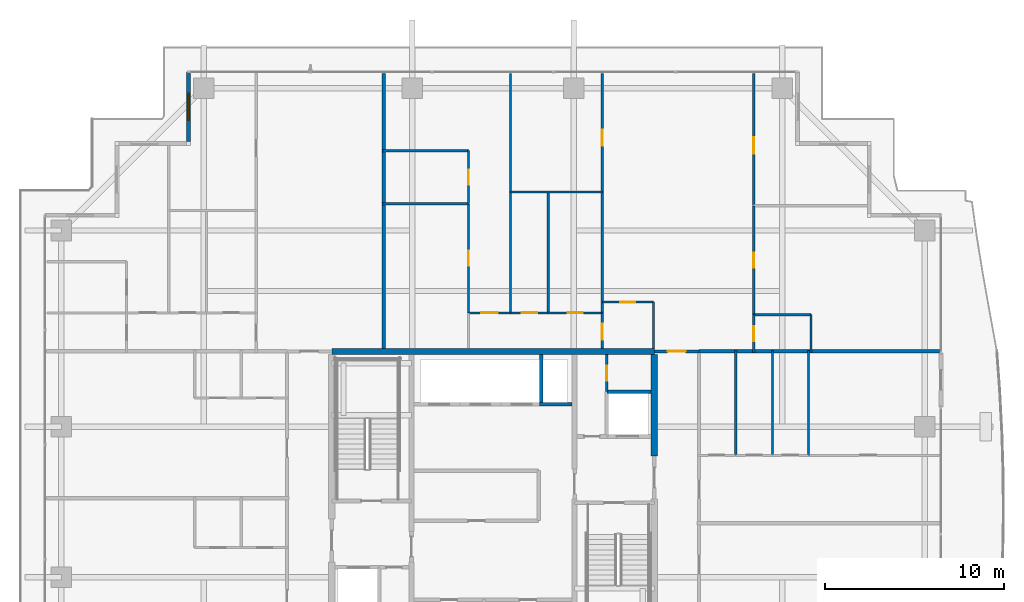
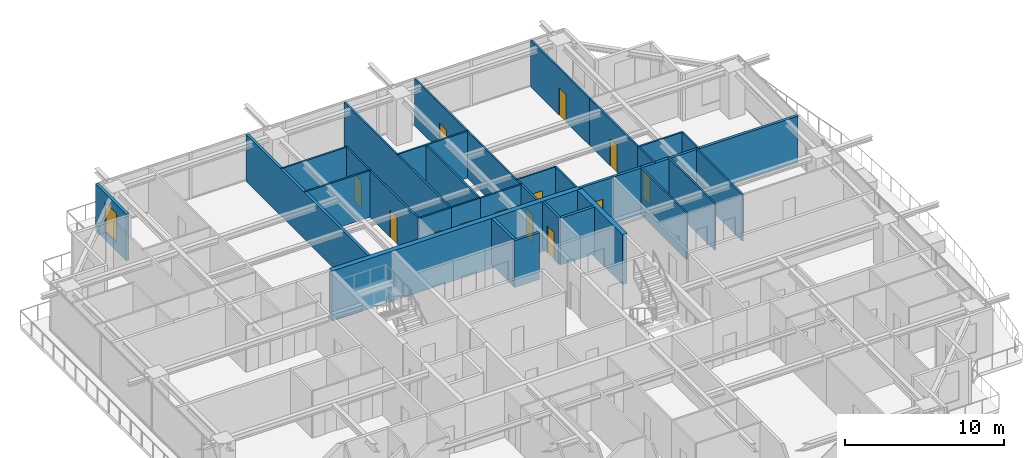
# One storey, part 30 of 38: 33 walls, 13 doors, 1 window, 14 openings.
"""IFC4 building model written with IfcOpenShell, lengths in metres."""

import ifcopenshell
import ifcopenshell.guid

model = None  # the IFC model being written
_history = None  # IfcOwnerHistory: only IFC2X3 demands one
_inside = {}  # id of a spatial element -> (the spatial element, [elements in it])
_under = {}  # id of a project, library or spatial element -> (it, [spatial elements below it])
_declared = {}  # id of a project -> (the project, [libraries it declares])
_typed = {}  # id of a type object -> (the type object, [elements of that type])
_made_of = {}  # id of a material, layer set ... -> (it, [elements and type objects made of it])


def new_model(schema):
    """Start an empty IFC model of exactly this schema.

    Asked for "IFC4X3", IfcOpenShell would pick the latest addendum, in which some entities
    have other attributes; the version numbers below select the first issue.
    IFC2X3 requires an IfcOwnerHistory on every rooted entity: one is made here for all.
    """
    global model, _history
    if schema == "IFC4X3":
        model = ifcopenshell.file(schema_version=(4, 3, 0, 0))
    else:
        model = ifcopenshell.file(schema=schema)
    _inside.clear()
    _under.clear()
    _declared.clear()
    _typed.clear()
    _made_of.clear()
    _history = None
    if model.schema == "IFC2X3":
        org = make("IfcOrganization", Name="unknown")
        user = make(
            "IfcPersonAndOrganization",
            ThePerson=make("IfcPerson", FamilyName="unknown"),
            TheOrganization=org,
        )
        app = make(
            "IfcApplication",
            ApplicationDeveloper=org,
            Version="unknown",
            ApplicationFullName="unknown",
            ApplicationIdentifier="unknown",
        )
        _history = make(
            "IfcOwnerHistory",
            OwningUser=user,
            OwningApplication=app,
            ChangeAction="ADDED",
            CreationDate=0,
        )
    return model


def make(cls, **values):
    """One entity of the class cls with the attributes given. An attribute that is None is left unset."""
    return model.create_entity(
        cls, **{name: value for name, value in values.items() if value is not None}
    )


def rooted(cls, **values):
    """An entity with a GlobalId (a new one), such as an element, a storey or a relation."""
    return make(cls, GlobalId=ifcopenshell.guid.new(), OwnerHistory=_history, **values)


def si_unit(unit_type, name, prefix=None):
    """IfcSIUnit, for example si_unit("LENGTHUNIT", "METRE", prefix="MILLI")."""
    return make("IfcSIUnit", UnitType=unit_type, Prefix=prefix, Name=name)


def assignment(units):
    """IfcUnitAssignment: the units of a project."""
    return None if units is None else make("IfcUnitAssignment", Units=units)


def point(xyz):
    """IfcCartesianPoint."""
    return None if xyz is None else make("IfcCartesianPoint", Coordinates=xyz)


def direction(xyz):
    """IfcDirection."""
    return None if xyz is None else make("IfcDirection", DirectionRatios=xyz)


def frame(location, z_axis=None, x_axis=None):
    """IfcAxis2Placement3D, a coordinate frame: its origin and axes. An axis left out is left unset."""
    return make(
        "IfcAxis2Placement3D",
        Location=point(location),
        Axis=direction(z_axis),
        RefDirection=direction(x_axis),
    )


def frame_2d(location, x_axis=None):
    """IfcAxis2Placement2D, a coordinate frame in the plane: its origin and x axis."""
    return make(
        "IfcAxis2Placement2D", Location=point(location), RefDirection=direction(x_axis)
    )


def origin():
    """The frame at (0, 0, 0) with its axes left unset."""
    return frame((0.0, 0.0, 0.0))


def place(relative_to, where):
    """IfcLocalPlacement: puts the frame where relative to a parent placement (None: the world)."""
    return make(
        "IfcLocalPlacement", PlacementRelTo=relative_to, RelativePlacement=where
    )


def context(
    kind, dimensions, precision=None, world=None, true_north=None, identifier=None
):
    """IfcGeometricRepresentationContext, for example the 3D "Model" context."""
    return make(
        "IfcGeometricRepresentationContext",
        ContextIdentifier=identifier,
        ContextType=kind,
        CoordinateSpaceDimension=dimensions,
        Precision=precision,
        WorldCoordinateSystem=world,
        TrueNorth=true_north,
    )


def subcontext(parent, identifier, kind, view, scale=None):
    """IfcGeometricRepresentationSubContext, for example "Body" below "Model"."""
    return make(
        "IfcGeometricRepresentationSubContext",
        ContextIdentifier=identifier,
        ContextType=kind,
        ParentContext=parent,
        TargetScale=scale,
        TargetView=view,
    )


def project(units=None, contexts=None):
    """IfcProject with its units and contexts."""
    return rooted(
        "IfcProject",
        Name="project",
        RepresentationContexts=contexts,
        UnitsInContext=assignment(units),
    )


def spatial(cls, under=None, at=None, **own):
    """A site, building, storey or space (cls), placed at a placement, below another one or the project."""
    s = rooted(cls, ObjectPlacement=at, **own)
    if under is not None:
        _under.setdefault(under.id(), (under, []))[1].append(s)
    return s


def profile(cls, at=None, kind="AREA", **sizes):
    """A parametric profile (cls). Its sizes go by their IFC names, for example OverallWidth=200.0."""
    return make(cls, ProfileType=kind, Position=at, **sizes)


def rectangle(**sizes):
    """IfcRectangleProfileDef."""
    return profile("IfcRectangleProfileDef", **sizes)


def extrude(swept, where, along, depth):
    """IfcExtrudedAreaSolid: the profile swept, set in the frame where, extruded along a direction by depth."""
    return make(
        "IfcExtrudedAreaSolid",
        SweptArea=swept,
        Position=where,
        ExtrudedDirection=direction(along),
        Depth=depth,
    )


def shape(context_of_items, identifier, shape_type, items):
    """IfcShapeRepresentation: the items that make up one representation, for example the "Body"."""
    return make(
        "IfcShapeRepresentation",
        ContextOfItems=context_of_items,
        RepresentationIdentifier=identifier,
        RepresentationType=shape_type,
        Items=items,
    )


def source(mapping_origin, context_of_items, identifier, shape_type, items):
    """IfcRepresentationMap: a shape defined once, which mapped items show again and again."""
    return make(
        "IfcRepresentationMap",
        MappingOrigin=mapping_origin,
        MappedRepresentation=shape(context_of_items, identifier, shape_type, items),
    )


def transform(
    local_origin,
    x_axis=None,
    y_axis=None,
    z_axis=None,
    scale=None,
    scale2=None,
    scale3=None,
    uniform=True,
):
    """IfcCartesianTransformationOperator3D, or its non-uniform kind. x_axis, y_axis, z_axis: its Axis1, 2, 3."""
    if uniform:
        return make(
            "IfcCartesianTransformationOperator3D",
            Axis1=direction(x_axis),
            Axis2=direction(y_axis),
            LocalOrigin=point(local_origin),
            Scale=scale,
            Axis3=direction(z_axis),
        )
    return make(
        "IfcCartesianTransformationOperator3DnonUniform",
        Axis1=direction(x_axis),
        Axis2=direction(y_axis),
        LocalOrigin=point(local_origin),
        Scale=scale,
        Axis3=direction(z_axis),
        Scale2=scale2,
        Scale3=scale3,
    )


def mapped(mapping_source, mapping_target):
    """IfcMappedItem: shows the shape of a source again, moved by a transform."""
    return make(
        "IfcMappedItem", MappingSource=mapping_source, MappingTarget=mapping_target
    )


def material(Name=None, Category=None):
    """IfcMaterial."""
    return make("IfcMaterial", Name=Name, Category=Category)


def layer(
    of_material, thickness, ventilated=None, Name=None, Category=None, Priority=None
):
    """IfcMaterialLayer: one layer of a wall or slab, of a material (None: an air gap)."""
    return make(
        "IfcMaterialLayer",
        Material=of_material,
        LayerThickness=thickness,
        IsVentilated=ventilated,
        Name=Name,
        Category=Category,
        Priority=Priority,
    )


def layer_set(layers, Name=None):
    """IfcMaterialLayerSet."""
    return make("IfcMaterialLayerSet", MaterialLayers=layers, LayerSetName=Name)


def made_of(thing, what):
    """Note that an element or type object is made of a material, layer set ...; save() writes the relation."""
    if what is not None:
        _made_of.setdefault(what.id(), (what, []))[1].append(thing)
    return thing


def type_object(cls, material=None, **own):
    """A type object (cls), such as IfcWallType, which elements share."""
    return made_of(rooted(cls, **own), material)


def element(
    cls,
    number,
    at=None,
    inside=None,
    cuts=None,
    type_object=None,
    material=None,
    context=None,
    identifier="Body",
    shape_type=None,
    held_by="IfcProductDefinitionShape",
    body=None,
    shapes=None,
    **own,
):
    """One element of the class cls, such as IfcWall. Its Tag is "e" and its number.

    at: its placement. inside: the storey or other place that contains it. cuts: it is an
    opening in that element (IfcRelVoidsElement). A single representation is given by context,
    identifier, shape_type and body (its items); several are given by shapes. held_by: the class
    of the entity that holds the representations. save() writes the other relations.
    """
    e = rooted(cls, Tag="e%d" % number, ObjectPlacement=at, **own)
    if body is not None:
        shapes = [shape(context, identifier, shape_type, body)]
    if shapes is not None:
        e.Representation = make(held_by, Representations=shapes)
    if inside is not None:
        _inside.setdefault(inside.id(), (inside, []))[1].append(e)
    if cuts is not None:
        rooted(
            "IfcRelVoidsElement", RelatingBuildingElement=cuts, RelatedOpeningElement=e
        )
    if type_object is not None:
        _typed.setdefault(type_object.id(), (type_object, []))[1].append(e)
    return made_of(e, material)


def fill(opening, filler):
    """IfcRelFillsElement: the door or window that sits in an opening."""
    return rooted(
        "IfcRelFillsElement",
        RelatingOpeningElement=opening,
        RelatedBuildingElement=filler,
    )


def aggregate(whole, parts):
    """IfcRelAggregates: a whole, such as a stair, and the parts it consists of."""
    return rooted("IfcRelAggregates", RelatingObject=whole, RelatedObjects=parts)


def save(model, path):
    """Write the relations noted so far, then the file.

    IfcRelAggregates (storeys below a building ...), IfcRelContainedInSpatialStructure (elements
    in a storey), IfcRelDefinesByType, IfcRelAssociatesMaterial and IfcRelDeclares: one each for
    every whole, place, type object, material and project.
    """
    for whole, parts in _under.values():
        aggregate(whole, parts)
    for where, things in _inside.values():
        rooted(
            "IfcRelContainedInSpatialStructure",
            RelatedElements=things,
            RelatingStructure=where,
        )
    for kind, things in _typed.values():
        rooted("IfcRelDefinesByType", RelatedObjects=things, RelatingType=kind)
    for what, things in _made_of.values():
        rooted("IfcRelAssociatesMaterial", RelatedObjects=things, RelatingMaterial=what)
    for by, libraries in _declared.values():
        rooted("IfcRelDeclares", RelatingContext=by, RelatedDefinitions=libraries)
    model.write(path)


model = new_model("IFC4")

# Units and contexts
model_context = context("Model", 3, precision=1e-05, world=origin(), true_north=direction((0.0, 1.0)))
body_context = subcontext(model_context, "Body", "Model", "MODEL_VIEW")
ifc_project = project(units=[si_unit("LENGTHUNIT", "METRE"), si_unit("AREAUNIT", "SQUARE_METRE"), si_unit("VOLUMEUNIT", "CUBIC_METRE"), si_unit("PLANEANGLEUNIT", "RADIAN"), si_unit("MASSUNIT", "GRAM", prefix="KILO")], contexts=[model_context])

# Site, building, storey
site_placement = place(None, origin())
site = spatial("IfcSite", under=ifc_project, at=site_placement, CompositionType="ELEMENT")
building_placement = place(site_placement, origin())
building = spatial("IfcBuilding", under=site, at=building_placement, Name="Serunith Strait Residences", CompositionType="ELEMENT")
storey_placement = place(building_placement, frame((0.0, 0.0, 229.699951171875)))
storey = spatial("IfcBuildingStorey", under=building, at=storey_placement, Name="L57", CompositionType="ELEMENT", Elevation=229.699951171875)

# Wall, opening, window
ifc_material_1 = material(Name="Pale-Champagne Aluminium Insulated Panel", Category="aluminium")
ifc_layer_1 = layer(ifc_material_1, 0.219970703125, Name="Pale-Champagne Aluminium Insulated Panel")
ifc_layer_set_1 = layer_set([ifc_layer_1], Name="Pale-Champagne Aluminium Insulated Panel")
wall_type_1 = type_object("IfcWallType", Name="EW-ALUM-220", PredefinedType="ELEMENTEDWALL", material=ifc_layer_set_1)
wall_1_placement = place(storey_placement, frame((15.39990234375, 49.199951171875, 0.0), z_axis=(0.0, 0.0, 1.0), x_axis=(0.0, -1.0, 0.0)))
wall_1 = element("IfcWall", 1, at=wall_1_placement, inside=storey, type_object=wall_type_1, Name="L57 Girih Serrated Corner Wall 12", PredefinedType="ELEMENTEDWALL", context=body_context, shape_type="SweptSolid", body=[
    extrude(rectangle(XDim=3.889892578125, YDim=0.219970703125, at=frame_2d((1.94482421875, 0.0))), origin(), (0.0, 0.0, 1.0), 3.574951171875),
])
opening_1_placement = place(wall_1_placement, frame((1.195068359375, 0.0, 0.64990234375)))
opening_1 = element("IfcOpeningElement", 2, at=opening_1_placement, cuts=wall_1, Name="Opening W-05", PredefinedType="OPENING", context=body_context, shape_type="SweptSolid", body=[
    extrude(rectangle(XDim=1.5, YDim=2.25, at=frame_2d((0.75, 1.125))), frame((0.0, 0.1201171875, 0.0), z_axis=(0.0, -1.0, 0.0), x_axis=(1.0, 0.0, 0.0)), (0.0, 0.0, 1.0), 0.239990234375),
])
ifc_material_2 = material(Name="Ceramic-Fritted Operable Aluminium Window Glass", Category="aluminium")
window_type = type_object("IfcWindowType", Name="WIN-C5", PartitioningType="DOUBLE_PANEL_VERTICAL", PredefinedType="WINDOW", material=ifc_material_2)
shared_shape_1 = source(origin(), body_context, "Body", "SweptSolid", [
    extrude(rectangle(XDim=1.5, YDim=2.25, at=frame_2d((0.75, 1.125))), frame((0.0, 0.030029296875, 0.0), z_axis=(0.0, -1.0, 0.0), x_axis=(1.0, 0.0, 0.0)), (0.0, 0.0, 1.0), 0.06005859375),
])
window_placement = place(opening_1_placement, origin())
window = element("IfcWindow", 3, at=window_placement, inside=storey, type_object=window_type, Name="L57 Corner Operable Fritted Window 12", OverallHeight=2.25, OverallWidth=1.5, PartitioningType="SINGLE_PANEL", PredefinedType="WINDOW", context=body_context, shape_type="MappedRepresentation", body=[
    mapped(shared_shape_1, transform((0.0, 0.0, 0.0), scale=1.0)),
])
fill(opening_1, window)

# Wall, opening, door
ifc_material_3 = material(Name="Fire-rated masonry service closet wall", Category="masonry")
ifc_layer_2 = layer(ifc_material_3, 0.14990234375, Name="Fire-rated masonry service closet wall")
ifc_layer_set_2 = layer_set([ifc_layer_2], Name="Fire-rated masonry service closet wall")
wall_type_2 = type_object("IfcWallType", Name="IW-BOH-150", PredefinedType="PARTITIONING", material=ifc_layer_set_2)
wall_2_placement = place(storey_placement, frame((38.75, 31.35205078125, 0.0), z_axis=(0.0, 0.0, 1.0), x_axis=(0.0, 1.0, 0.0)))
wall_2 = element("IfcWall", 4, at=wall_2_placement, inside=storey, type_object=wall_type_2, Name="L57 Partition Wall 011", PredefinedType="PARTITIONING", context=body_context, shape_type="SweptSolid", body=[
    extrude(rectangle(XDim=2.072998046875, YDim=0.14990234375, at=frame_2d((1.03662109375, 0.0))), origin(), (0.0, 0.0, 1.0), 3.590087890625),
])
opening_2_placement = place(wall_2_placement, frame((0.611083984375, 0.0, 0.0)))
opening_2 = element("IfcOpeningElement", 5, at=opening_2_placement, cuts=wall_2, Name="Opening FD-850", PredefinedType="OPENING", context=body_context, shape_type="SweptSolid", body=[
    extrude(rectangle(XDim=0.85009765625, YDim=2.10009765625, at=frame_2d((0.425048828125, 1.050048828125))), frame((0.0, 0.0849609375, 0.0), z_axis=(0.0, -1.0, 0.0), x_axis=(1.0, 0.0, 0.0)), (0.0, 0.0, 1.0), 0.169921875),
])
ifc_material_4 = material(Name="Powder-coated steel service closet door", Category="steel")
door_type_1 = type_object("IfcDoorType", Name="FD-BOH-850", OperationType="NOTDEFINED", PredefinedType="DOOR", material=ifc_material_4)
shared_shape_2 = source(origin(), body_context, "Body", "SweptSolid", [
    extrude(rectangle(XDim=0.85009765625, YDim=2.10009765625, at=frame_2d((0.425048828125, 1.050048828125))), frame((0.0, 0.02490234375, 0.0), z_axis=(0.0, -1.0, 0.0), x_axis=(1.0, 0.0, 0.0)), (0.0, 0.0, 1.0), 0.050048828125),
])
door_1_placement = place(opening_2_placement, origin())
door_1 = element("IfcDoor", 6, at=door_1_placement, inside=storey, type_object=door_type_1, Name="L57 ELV Data Closet Door", OperationType="SINGLE_SWING_LEFT", OverallHeight=2.10009765625, OverallWidth=0.85009765625, PredefinedType="DOOR", context=body_context, shape_type="MappedRepresentation", body=[
    mapped(shared_shape_2, transform((0.0, 0.0, 0.0), scale=1.0)),
])
fill(opening_2, door_1)

ifc_material_5 = material(Name="Fire-rated acoustic gypsum partition")
ifc_layer_3 = layer(ifc_material_5, 0.179931640625, Name="Fire-rated acoustic gypsum partition")
ifc_layer_set_3 = layer_set([ifc_layer_3], Name="Fire-rated acoustic gypsum partition")
wall_type_3 = type_object("IfcWallType", Name="IW-CORR-180", PredefinedType="PARTITIONING", material=ifc_layer_set_3)
wall_3_placement = place(storey_placement, frame((41.402099609375, 33.60009765625, 0.0), z_axis=(0.0, 0.0, 1.0), x_axis=(1.0, 0.0, 0.0)))
wall_3 = element("IfcWall", 7, at=wall_3_placement, inside=storey, type_object=wall_type_3, Name="L57 Partition Wall 030", PredefinedType="PARTITIONING", context=body_context, shape_type="SweptSolid", body=[
    extrude(rectangle(XDim=2.495849609375, YDim=0.179931640625, at=frame_2d((1.248046875, 0.0))), origin(), (0.0, 0.0, 1.0), 3.590087890625),
])
opening_3_placement = place(wall_3_placement, frame((0.748046875, 0.0, 0.0)))
opening_3 = element("IfcOpeningElement", 8, at=opening_3_placement, cuts=wall_3, Name="Opening D-APT1000", PredefinedType="OPENING", context=body_context, shape_type="SweptSolid", body=[
    extrude(rectangle(XDim=1.0, YDim=2.14990234375, at=frame_2d((0.5, 1.074951171875))), frame((0.0, 0.10009765625, 0.0), z_axis=(0.0, -1.0, 0.0), x_axis=(1.0, 0.0, 0.0)), (0.0, 0.0, 1.0), 0.199951171875),
])
ifc_material_6 = material(Name="Solid timber engineered fire door", Category="wood")
door_type_2 = type_object("IfcDoorType", Name="ID-APT-1000", OperationType="NOTDEFINED", PredefinedType="DOOR", material=ifc_material_6)
shared_shape_3 = source(origin(), body_context, "Body", "SweptSolid", [
    extrude(rectangle(XDim=1.0, YDim=2.14990234375, at=frame_2d((0.5, 1.074951171875))), frame((0.0, 0.02490234375, 0.0), z_axis=(0.0, -1.0, 0.0), x_axis=(1.0, 0.0, 0.0)), (0.0, 0.0, 1.0), 0.050048828125),
])
door_2_placement = place(opening_3_placement, origin())
door_2 = element("IfcDoor", 9, at=door_2_placement, inside=storey, type_object=door_type_2, Name="L57 Unit 04 Entrance Door", OperationType="SINGLE_SWING_RIGHT", OverallHeight=2.14990234375, OverallWidth=1.0, PredefinedType="DOOR", context=body_context, shape_type="MappedRepresentation", body=[
    mapped(shared_shape_3, transform((0.0, 0.0, 0.0), scale=1.0)),
])
fill(opening_3, door_2)

ifc_material_7 = material(Name="Lightweight steel-stud gypsum partition", Category="steel")
ifc_layer_4 = layer(ifc_material_7, 0.1201171875, Name="Lightweight steel-stud gypsum partition")
ifc_layer_set_4 = layer_set([ifc_layer_4], Name="Lightweight steel-stud gypsum partition")
wall_type_4 = type_object("IfcWallType", Name="IW-PART-120", PredefinedType="PARTITIONING", material=ifc_layer_set_4)
wall_4_placement = place(storey_placement, frame((38.5, 36.35009765625, 0.0), z_axis=(0.0, 0.0, 1.0), x_axis=(1.0, 0.0, 0.0)))
wall_4 = element("IfcWall", 10, at=wall_4_placement, inside=storey, type_object=wall_type_4, Name="L57 Partition Wall 080", PredefinedType="PARTITIONING", context=body_context, shape_type="SweptSolid", body=[
    extrude(rectangle(XDim=2.85009765625, YDim=0.1201171875, at=frame_2d((1.425048828125, 0.0))), origin(), (0.0, 0.0, 1.0), 3.590087890625),
])
opening_4_placement = place(wall_4_placement, frame((1.0, 0.0, 0.0)))
opening_4 = element("IfcOpeningElement", 11, at=opening_4_placement, cuts=wall_4, Name="Opening D-RM850", PredefinedType="OPENING", context=body_context, shape_type="SweptSolid", body=[
    extrude(rectangle(XDim=0.85009765625, YDim=2.10009765625, at=frame_2d((0.425048828125, 1.050048828125))), frame((0.0, 0.070068359375, 0.0), z_axis=(0.0, -1.0, 0.0), x_axis=(1.0, 0.0, 0.0)), (0.0, 0.0, 1.0), 0.14013671875),
])
ifc_material_8 = material(Name="Engineered timber flush study and kitchen door", Category="wood")
door_type_3 = type_object("IfcDoorType", Name="ID-ROOM-850", OperationType="NOTDEFINED", PredefinedType="DOOR", material=ifc_material_8)
door_3_placement = place(opening_4_placement, origin())
door_3 = element("IfcDoor", 12, at=door_3_placement, inside=storey, type_object=door_type_3, Name="L57 Kitchen 5704 Door", OperationType="SINGLE_SWING_RIGHT", OverallHeight=2.10009765625, OverallWidth=0.85009765625, PredefinedType="DOOR", context=body_context, shape_type="MappedRepresentation", body=[
    mapped(shared_shape_2, transform((0.0, 0.0, 0.0), scale=1.0)),
])
fill(opening_4, door_3)

# Wall
wall_5_placement = place(storey_placement, frame((41.35009765625, 36.35009765625, 0.0), z_axis=(0.0, 0.0, 1.0), x_axis=(0.0, -1.0, 0.0)))
element("IfcWall", 13, at=wall_5_placement, inside=storey, type_object=wall_type_4, Name="L57 Partition Wall 081", PredefinedType="PARTITIONING", context=body_context, shape_type="SweptSolid", body=[
    extrude(rectangle(XDim=2.5751953125, YDim=0.1201171875, at=frame_2d((1.28759765625, 0.0))), origin(), (0.0, 0.0, 1.0), 3.590087890625),
])

# Wall, opening, door
wall_6_placement = place(storey_placement, frame((38.5, 35.75, 0.0), z_axis=(0.0, 0.0, 1.0), x_axis=(0.0, -1.0, 0.0)))
wall_6 = element("IfcWall", 14, at=wall_6_placement, inside=storey, type_object=wall_type_4, Name="L57 Partition Wall 082", PredefinedType="PARTITIONING", context=body_context, shape_type="SweptSolid", body=[
    extrude(rectangle(XDim=1.97509765625, YDim=0.1201171875, at=frame_2d((0.987548828125, 0.0))), origin(), (0.0, 0.0, 1.0), 3.590087890625),
])
opening_5_placement = place(wall_6_placement, frame((0.60107421875, 0.0, 0.0)))
opening_5 = element("IfcOpeningElement", 15, at=opening_5_placement, cuts=wall_6, Name="Opening D-RM900", PredefinedType="OPENING", context=body_context, shape_type="SweptSolid", body=[
    extrude(rectangle(XDim=0.89990234375, YDim=2.10009765625, at=frame_2d((0.449951171875, 1.050048828125))), frame((0.0, 0.070068359375, 0.0), z_axis=(0.0, -1.0, 0.0), x_axis=(1.0, 0.0, 0.0)), (0.0, 0.0, 1.0), 0.14013671875),
])
ifc_material_9 = material(Name="Engineered timber flush bedroom door", Category="wood")
door_type_4 = type_object("IfcDoorType", Name="ID-ROOM-900", OperationType="NOTDEFINED", PredefinedType="DOOR", material=ifc_material_9)
shared_shape_4 = source(origin(), body_context, "Body", "SweptSolid", [
    extrude(rectangle(XDim=0.89990234375, YDim=2.10009765625, at=frame_2d((0.449951171875, 1.050048828125))), frame((0.0, 0.02490234375, 0.0), z_axis=(0.0, -1.0, 0.0), x_axis=(1.0, 0.0, 0.0)), (0.0, 0.0, 1.0), 0.050048828125),
])
door_4_placement = place(opening_5_placement, origin())
door_4 = element("IfcDoor", 16, at=door_4_placement, inside=storey, type_object=door_type_4, Name="L57 Hall W 5704 Door", OperationType="SINGLE_SWING_LEFT", OverallHeight=2.10009765625, OverallWidth=0.89990234375, PredefinedType="DOOR", context=body_context, shape_type="MappedRepresentation", body=[
    mapped(shared_shape_4, transform((0.0, 0.0, 0.0), scale=1.0)),
])
fill(opening_5, door_4)

wall_7_placement = place(storey_placement, frame((38.5, 49.10498046875, 0.0), z_axis=(0.0, 0.0, 1.0), x_axis=(0.0, -1.0, 0.0)))
wall_7 = element("IfcWall", 17, at=wall_7_placement, inside=storey, type_object=wall_type_4, Name="L57 Partition Wall 083", PredefinedType="PARTITIONING", context=body_context, shape_type="SweptSolid", body=[
    extrude(rectangle(XDim=6.60400390625, YDim=0.1201171875, at=frame_2d((3.302001953125, 0.0))), origin(), (0.0, 0.0, 1.0), 3.590087890625),
])
opening_6_placement = place(wall_7_placement, frame((3.136962890625, 0.0, 0.0)))
opening_6 = element("IfcOpeningElement", 18, at=opening_6_placement, cuts=wall_7, Name="Opening D-RM900", PredefinedType="OPENING", context=body_context, shape_type="SweptSolid", body=[
    extrude(rectangle(XDim=0.89990234375, YDim=2.10009765625, at=frame_2d((0.449951171875, 1.050048828125))), frame((0.0, 0.070068359375, 0.0), z_axis=(0.0, -1.0, 0.0), x_axis=(1.0, 0.0, 0.0)), (0.0, 0.0, 1.0), 0.14013671875),
])
door_5_placement = place(opening_6_placement, origin())
door_5 = element("IfcDoor", 19, at=door_5_placement, inside=storey, type_object=door_type_4, Name="L57 Formal Dining Room 1 5704 Door", OperationType="SINGLE_SWING_RIGHT", OverallHeight=2.10009765625, OverallWidth=0.89990234375, PredefinedType="DOOR", context=body_context, shape_type="MappedRepresentation", body=[
    mapped(shared_shape_4, transform((0.0, 0.0, 0.0), scale=1.0)),
])
fill(opening_6, door_5)

# Walls
wall_8_placement = place(storey_placement, frame((38.5, 42.4990234375, 0.0), z_axis=(0.0, 0.0, 1.0), x_axis=(0.0, -1.0, 0.0)))
element("IfcWall", 20, at=wall_8_placement, inside=storey, type_object=wall_type_4, Name="L57 Partition Wall 084", PredefinedType="PARTITIONING", context=body_context, shape_type="SweptSolid", body=[
    extrude(rectangle(XDim=6.7470703125, YDim=0.1201171875, at=frame_2d((3.37353515625, 0.0))), origin(), (0.0, 0.0, 1.0), 3.590087890625),
])
wall_9_placement = place(storey_placement, frame((33.3798828125, 42.5009765625, 0.0), z_axis=(0.0, 0.0, 1.0), x_axis=(1.0, 0.0, 0.0)))
element("IfcWall", 21, at=wall_9_placement, inside=storey, type_object=wall_type_4, Name="L57 Partition Wall 085", PredefinedType="PARTITIONING", context=body_context, shape_type="SweptSolid", body=[
    extrude(rectangle(XDim=5.1201171875, YDim=0.1201171875, at=frame_2d((2.56005859375, 0.0))), origin(), (0.0, 0.0, 1.0), 3.590087890625),
])
wall_10_placement = place(storey_placement, frame((33.3798828125, 49.10498046875, 0.0), z_axis=(0.0, 0.0, 1.0), x_axis=(0.0, -1.0, 0.0)))
element("IfcWall", 22, at=wall_10_placement, inside=storey, type_object=wall_type_4, Name="L57 Partition Wall 086", PredefinedType="PARTITIONING", context=body_context, shape_type="SweptSolid", body=[
    extrude(rectangle(XDim=13.35498046875, YDim=0.1201171875, at=frame_2d((6.677490234375, 0.0))), origin(), (0.0, 0.0, 1.0), 3.590087890625),
])
wall_11_placement = place(storey_placement, frame((35.47998046875, 42.5009765625, 0.0), z_axis=(0.0, 0.0, 1.0), x_axis=(0.0, -1.0, 0.0)))
element("IfcWall", 23, at=wall_11_placement, inside=storey, type_object=wall_type_4, Name="L57 Partition Wall 087", PredefinedType="PARTITIONING", context=body_context, shape_type="SweptSolid", body=[
    extrude(rectangle(XDim=6.7509765625, YDim=0.1201171875, at=frame_2d((3.37548828125, 0.0))), origin(), (0.0, 0.0, 1.0), 3.590087890625),
])

# Wall, opening, door
wall_12_placement = place(storey_placement, frame((33.3798828125, 35.75, 0.0), z_axis=(0.0, 0.0, 1.0), x_axis=(1.0, 0.0, 0.0)))
wall_12 = element("IfcWall", 24, at=wall_12_placement, inside=storey, type_object=wall_type_4, Name="L57 Partition Wall 088", PredefinedType="PARTITIONING", context=body_context, shape_type="SweptSolid", body=[
    extrude(rectangle(XDim=2.10009765625, YDim=0.1201171875, at=frame_2d((1.050048828125, 0.0))), origin(), (0.0, 0.0, 1.0), 3.590087890625),
])
opening_7_placement = place(wall_12_placement, frame((0.625, 0.0, 0.0)))
opening_7 = element("IfcOpeningElement", 25, at=opening_7_placement, cuts=wall_12, Name="Opening D-BTH850", PredefinedType="OPENING", context=body_context, shape_type="SweptSolid", body=[
    extrude(rectangle(XDim=0.85009765625, YDim=2.10009765625, at=frame_2d((0.425048828125, 1.050048828125))), frame((0.0, 0.070068359375, 0.0), z_axis=(0.0, -1.0, 0.0), x_axis=(1.0, 0.0, 0.0)), (0.0, 0.0, 1.0), 0.14013671875),
])
ifc_material_10 = material(Name="Moisture-resistant timber bathroom door", Category="wood")
door_type_5 = type_object("IfcDoorType", Name="ID-BATH-850", OperationType="NOTDEFINED", PredefinedType="DOOR", material=ifc_material_10)
door_6_placement = place(opening_7_placement, origin())
door_6 = element("IfcDoor", 26, at=door_6_placement, inside=storey, type_object=door_type_5, Name="L57 Bathroom 5704 Door", OperationType="SINGLE_SWING_LEFT", OverallHeight=2.10009765625, OverallWidth=0.85009765625, PredefinedType="DOOR", context=body_context, shape_type="MappedRepresentation", body=[
    mapped(shared_shape_2, transform((0.0, 0.0, 0.0), scale=1.0)),
])
fill(opening_7, door_6)

wall_13_placement = place(storey_placement, frame((35.48193359375, 35.75, 0.0), z_axis=(0.0, 0.0, 1.0), x_axis=(1.0, 0.0, 0.0)))
wall_13 = element("IfcWall", 27, at=wall_13_placement, inside=storey, type_object=wall_type_4, Name="L57 Partition Wall 089", PredefinedType="PARTITIONING", context=body_context, shape_type="SweptSolid", body=[
    extrude(rectangle(XDim=3.01806640625, YDim=0.1201171875, at=frame_2d((1.509033203125, 0.0))), origin(), (0.0, 0.0, 1.0), 3.590087890625),
])
opening_8_placement = place(wall_13_placement, frame((1.083984375, 0.0, 0.0)))
opening_8 = element("IfcOpeningElement", 28, at=opening_8_placement, cuts=wall_13, Name="Opening D-RM850", PredefinedType="OPENING", context=body_context, shape_type="SweptSolid", body=[
    extrude(rectangle(XDim=0.85009765625, YDim=2.10009765625, at=frame_2d((0.425048828125, 1.050048828125))), frame((0.0, 0.070068359375, 0.0), z_axis=(0.0, -1.0, 0.0), x_axis=(1.0, 0.0, 0.0)), (0.0, 0.0, 1.0), 0.14013671875),
])
door_7_placement = place(opening_8_placement, origin())
door_7 = element("IfcDoor", 29, at=door_7_placement, inside=storey, type_object=door_type_3, Name="L57 Formal Dining Room 5704 Door", OperationType="SINGLE_SWING_RIGHT", OverallHeight=2.10009765625, OverallWidth=0.85009765625, PredefinedType="DOOR", context=body_context, shape_type="MappedRepresentation", body=[
    mapped(shared_shape_2, transform((0.0, 0.0, 0.0), scale=1.0)),
])
fill(opening_8, door_7)

wall_14_placement = place(storey_placement, frame((31.030029296875, 35.75, 0.0), z_axis=(0.0, 0.0, 1.0), x_axis=(1.0, 0.0, 0.0)))
wall_14 = element("IfcWall", 30, at=wall_14_placement, inside=storey, type_object=wall_type_4, Name="L57 Partition Wall 090", PredefinedType="PARTITIONING", context=body_context, shape_type="SweptSolid", body=[
    extrude(rectangle(XDim=2.347900390625, YDim=0.1201171875, at=frame_2d((1.173828125, 0.0))), origin(), (0.0, 0.0, 1.0), 3.590087890625),
])
opening_9_placement = place(wall_14_placement, frame((0.72412109375, 0.0, 0.0)))
opening_9 = element("IfcOpeningElement", 31, at=opening_9_placement, cuts=wall_14, Name="Opening D-RM900", PredefinedType="OPENING", context=body_context, shape_type="SweptSolid", body=[
    extrude(rectangle(XDim=0.89990234375, YDim=2.10009765625, at=frame_2d((0.449951171875, 1.050048828125))), frame((0.0, 0.070068359375, 0.0), z_axis=(0.0, -1.0, 0.0), x_axis=(1.0, 0.0, 0.0)), (0.0, 0.0, 1.0), 0.14013671875),
])
door_8_placement = place(opening_9_placement, origin())
door_8 = element("IfcDoor", 32, at=door_8_placement, inside=storey, type_object=door_type_4, Name="L57 Master Bedroom W 5704 Door", OperationType="SINGLE_SWING_LEFT", OverallHeight=2.10009765625, OverallWidth=0.89990234375, PredefinedType="DOOR", context=body_context, shape_type="MappedRepresentation", body=[
    mapped(shared_shape_4, transform((0.0, 0.0, 0.0), scale=1.0)),
])
fill(opening_9, door_8)

# Walls
for number, where, z_axis, x_axis, name in (
    (33, (26.239990234375, 44.804931640625, 0.0), (0.0, 0.0, 1.0), (1.0, 0.0, 0.0), "L57 Partition Wall 091"),
    (34, (26.239990234375, 41.844970703125, 0.0), (0.0, 0.0, 1.0), (1.0, 0.0, 0.0), "L57 Partition Wall 092"),
):
    element("IfcWall", number, at=place(storey_placement, frame(where, z_axis=z_axis, x_axis=x_axis)), inside=storey, type_object=wall_type_4, Name=name, PredefinedType="PARTITIONING", context=body_context, shape_type="SweptSolid", body=[
        extrude(rectangle(XDim=4.7900390625, YDim=0.1201171875, at=frame_2d((2.39501953125, 0.0))), origin(), (0.0, 0.0, 1.0), 3.590087890625),
    ])

# Wall, opening, door
wall_15_placement = place(storey_placement, frame((31.030029296875, 44.804931640625, 0.0), z_axis=(0.0, 0.0, 1.0), x_axis=(0.0, -1.0, 0.0)))
wall_15 = element("IfcWall", 35, at=wall_15_placement, inside=storey, type_object=wall_type_4, Name="L57 Partition Wall 093", PredefinedType="PARTITIONING", context=body_context, shape_type="SweptSolid", body=[
    extrude(rectangle(XDim=2.9599609375, YDim=0.1201171875, at=frame_2d((1.47998046875, 0.0))), origin(), (0.0, 0.0, 1.0), 3.590087890625),
])
opening_10_placement = place(wall_15_placement, frame((1.054931640625, 0.0, 0.0)))
opening_10 = element("IfcOpeningElement", 36, at=opening_10_placement, cuts=wall_15, Name="Opening D-BTH850", PredefinedType="OPENING", context=body_context, shape_type="SweptSolid", body=[
    extrude(rectangle(XDim=0.85009765625, YDim=2.10009765625, at=frame_2d((0.425048828125, 1.050048828125))), frame((0.0, 0.070068359375, 0.0), z_axis=(0.0, -1.0, 0.0), x_axis=(1.0, 0.0, 0.0)), (0.0, 0.0, 1.0), 0.14013671875),
])
door_9_placement = place(opening_10_placement, origin())
door_9 = element("IfcDoor", 37, at=door_9_placement, inside=storey, type_object=door_type_5, Name="L57 En-suite Bathroom W 5704 Door", OperationType="SINGLE_SWING_RIGHT", OverallHeight=2.10009765625, OverallWidth=0.85009765625, PredefinedType="DOOR", context=body_context, shape_type="MappedRepresentation", body=[
    mapped(shared_shape_2, transform((0.0, 0.0, 0.0), scale=1.0)),
])
fill(opening_10, door_9)

wall_16_placement = place(storey_placement, frame((31.030029296875, 41.843017578125, 0.0), z_axis=(0.0, 0.0, 1.0), x_axis=(0.0, -1.0, 0.0)))
wall_16 = element("IfcWall", 38, at=wall_16_placement, inside=storey, type_object=wall_type_4, Name="L57 Partition Wall 094", PredefinedType="PARTITIONING", context=body_context, shape_type="SweptSolid", body=[
    extrude(rectangle(XDim=6.093017578125, YDim=0.1201171875, at=frame_2d((3.04638671875, 0.0))), origin(), (0.0, 0.0, 1.0), 3.590087890625),
])
opening_11_placement = place(wall_16_placement, frame((2.6220703125, 0.0, 0.0)))
opening_11 = element("IfcOpeningElement", 39, at=opening_11_placement, cuts=wall_16, Name="Opening D-RM850", PredefinedType="OPENING", context=body_context, shape_type="SweptSolid", body=[
    extrude(rectangle(XDim=0.85009765625, YDim=2.10009765625, at=frame_2d((0.425048828125, 1.050048828125))), frame((0.0, 0.070068359375, 0.0), z_axis=(0.0, -1.0, 0.0), x_axis=(1.0, 0.0, 0.0)), (0.0, 0.0, 1.0), 0.14013671875),
])
door_10_placement = place(opening_11_placement, origin())
door_10 = element("IfcDoor", 40, at=door_10_placement, inside=storey, type_object=door_type_3, Name="L57 Wardrobe W 5704 Door", OperationType="SINGLE_SWING_LEFT", OverallHeight=2.10009765625, OverallWidth=0.85009765625, PredefinedType="DOOR", context=body_context, shape_type="MappedRepresentation", body=[
    mapped(shared_shape_2, transform((0.0, 0.0, 0.0), scale=1.0)),
])
fill(opening_11, door_10)

wall_17_placement = place(storey_placement, frame((46.949951171875, 49.10498046875, 0.0), z_axis=(0.0, 0.0, 1.0), x_axis=(0.0, -1.0, 0.0)))
wall_17 = element("IfcWall", 41, at=wall_17_placement, inside=storey, type_object=wall_type_4, Name="L57 Partition Wall 096", PredefinedType="PARTITIONING", context=body_context, shape_type="SweptSolid", body=[
    extrude(rectangle(XDim=7.373046875, YDim=0.1201171875, at=frame_2d((3.6865234375, 0.0))), origin(), (0.0, 0.0, 1.0), 3.590087890625),
])
opening_12_placement = place(wall_17_placement, frame((3.56005859375, 0.0, 0.0)))
opening_12 = element("IfcOpeningElement", 42, at=opening_12_placement, cuts=wall_17, Name="Opening D-RM900", PredefinedType="OPENING", context=body_context, shape_type="SweptSolid", body=[
    extrude(rectangle(XDim=0.89990234375, YDim=2.10009765625, at=frame_2d((0.449951171875, 1.050048828125))), frame((0.0, 0.070068359375, 0.0), z_axis=(0.0, -1.0, 0.0), x_axis=(1.0, 0.0, 0.0)), (0.0, 0.0, 1.0), 0.14013671875),
])
door_11_placement = place(opening_12_placement, origin())
door_11 = element("IfcDoor", 43, at=door_11_placement, inside=storey, type_object=door_type_4, Name="L57 Bedroom 3 5704 Door", OperationType="SINGLE_SWING_RIGHT", OverallHeight=2.10009765625, OverallWidth=0.89990234375, PredefinedType="DOOR", context=body_context, shape_type="MappedRepresentation", body=[
    mapped(shared_shape_4, transform((0.0, 0.0, 0.0), scale=1.0)),
])
fill(opening_12, door_11)

# Walls
wall_18_placement = place(storey_placement, frame((46.949951171875, 35.64990234375, 0.0), z_axis=(0.0, 0.0, 1.0), x_axis=(1.0, 0.0, 0.0)))
element("IfcWall", 44, at=wall_18_placement, inside=storey, type_object=wall_type_4, Name="L57 Partition Wall 098", PredefinedType="PARTITIONING", context=body_context, shape_type="SweptSolid", body=[
    extrude(rectangle(XDim=3.199951171875, YDim=0.1201171875, at=frame_2d((1.60009765625, 0.0))), origin(), (0.0, 0.0, 1.0), 3.590087890625),
])
wall_19_placement = place(storey_placement, frame((50.14990234375, 35.64990234375, 0.0), z_axis=(0.0, 0.0, 1.0), x_axis=(0.0, -1.0, 0.0)))
element("IfcWall", 45, at=wall_19_placement, inside=storey, type_object=wall_type_4, Name="L57 Partition Wall 099", PredefinedType="PARTITIONING", context=body_context, shape_type="SweptSolid", body=[
    extrude(rectangle(XDim=2.10986328125, YDim=0.1201171875, at=frame_2d((1.054931640625, 0.0))), origin(), (0.0, 0.0, 1.0), 3.590087890625),
])

# Wall, opening, door
wall_20_placement = place(storey_placement, frame((46.949951171875, 41.72998046875, 0.0), z_axis=(0.0, 0.0, 1.0), x_axis=(0.0, -1.0, 0.0)))
wall_20 = element("IfcWall", 46, at=wall_20_placement, inside=storey, type_object=wall_type_4, Name="L57 Partition Wall 100", PredefinedType="PARTITIONING", context=body_context, shape_type="SweptSolid", body=[
    extrude(rectangle(XDim=6.080078125, YDim=0.1201171875, at=frame_2d((3.0400390625, 0.0))), origin(), (0.0, 0.0, 1.0), 3.590087890625),
])
opening_13_placement = place(wall_20_placement, frame((2.614990234375, 0.0, 0.0)))
opening_13 = element("IfcOpeningElement", 47, at=opening_13_placement, cuts=wall_20, Name="Opening D-RM850", PredefinedType="OPENING", context=body_context, shape_type="SweptSolid", body=[
    extrude(rectangle(XDim=0.85009765625, YDim=2.10009765625, at=frame_2d((0.425048828125, 1.050048828125))), frame((0.0, 0.070068359375, 0.0), z_axis=(0.0, -1.0, 0.0), x_axis=(1.0, 0.0, 0.0)), (0.0, 0.0, 1.0), 0.14013671875),
])
door_12_placement = place(opening_13_placement, origin())
door_12 = element("IfcDoor", 48, at=door_12_placement, inside=storey, type_object=door_type_3, Name="L57 Walk-in Wardrobe 5704 Door", OperationType="SINGLE_SWING_LEFT", OverallHeight=2.10009765625, OverallWidth=0.85009765625, PredefinedType="DOOR", context=body_context, shape_type="MappedRepresentation", body=[
    mapped(shared_shape_2, transform((0.0, 0.0, 0.0), scale=1.0)),
])
fill(opening_13, door_12)

wall_21_placement = place(storey_placement, frame((46.949951171875, 35.64794921875, 0.0), z_axis=(0.0, 0.0, 1.0), x_axis=(0.0, -1.0, 0.0)))
wall_21 = element("IfcWall", 49, at=wall_21_placement, inside=storey, type_object=wall_type_4, Name="L57 Partition Wall 101", PredefinedType="PARTITIONING", context=body_context, shape_type="SweptSolid", body=[
    extrude(rectangle(XDim=2.10791015625, YDim=0.1201171875, at=frame_2d((1.053955078125, 0.0))), origin(), (0.0, 0.0, 1.0), 3.590087890625),
])
opening_14_placement = place(wall_21_placement, frame((0.62890625, 0.0, 0.0)))
opening_14 = element("IfcOpeningElement", 50, at=opening_14_placement, cuts=wall_21, Name="Opening D-BTH850", PredefinedType="OPENING", context=body_context, shape_type="SweptSolid", body=[
    extrude(rectangle(XDim=0.85009765625, YDim=2.10009765625, at=frame_2d((0.425048828125, 1.050048828125))), frame((0.0, 0.070068359375, 0.0), z_axis=(0.0, -1.0, 0.0), x_axis=(1.0, 0.0, 0.0)), (0.0, 0.0, 1.0), 0.14013671875),
])
door_13_placement = place(opening_14_placement, origin())
door_13 = element("IfcDoor", 51, at=door_13_placement, inside=storey, type_object=door_type_5, Name="L57 Bathroom 5704 Door", OperationType="SINGLE_SWING_RIGHT", OverallHeight=2.10009765625, OverallWidth=0.85009765625, PredefinedType="DOOR", context=body_context, shape_type="MappedRepresentation", body=[
    mapped(shared_shape_2, transform((0.0, 0.0, 0.0), scale=1.0)),
])
fill(opening_14, door_13)

# Walls
for number, where, z_axis, x_axis, name in (
    (52, (50.0029296875, 27.800048828125, 0.0), (0.0, 0.0, 1.0), (0.0, 1.0, 0.0), "L57 Partition Wall 115"),
    (53, (48.0029296875, 27.800048828125, 0.0), (0.0, 0.0, 1.0), (0.0, 1.0, 0.0), "L57 Partition Wall 116"),
    (54, (45.949951171875, 27.800048828125, 0.0), (0.0, 0.0, 1.0), (0.0, 1.0, 0.0), "L57 Partition Wall 117"),
):
    element("IfcWall", number, at=place(storey_placement, frame(where, z_axis=z_axis, x_axis=x_axis)), inside=storey, type_object=wall_type_4, Name=name, PredefinedType="PARTITIONING", context=body_context, shape_type="SweptSolid", body=[
        extrude(rectangle(XDim=5.85986328125, YDim=0.1201171875, at=frame_2d((2.929931640625, 0.0))), origin(), (0.0, 0.0, 1.0), 3.590087890625),
    ])
ifc_material_11 = material(Name="Twin-stud acoustic gypsum board partition")
ifc_layer_5 = layer(ifc_material_11, 0.199951171875, Name="Twin-stud acoustic gypsum board partition")
ifc_layer_set_5 = layer_set([ifc_layer_5], Name="Twin-stud acoustic gypsum board partition")
wall_type_5 = type_object("IfcWallType", Name="IW-PARTY-200", PredefinedType="PARTITIONING", material=ifc_layer_set_5)
wall_22_placement = place(storey_placement, frame((26.300048828125, 33.77490234375, 0.0), z_axis=(0.0, 0.0, 1.0), x_axis=(0.0, 1.0, 0.0)))
element("IfcWall", 55, at=wall_22_placement, inside=storey, type_object=wall_type_5, Name="L57 Partition Wall 019", PredefinedType="PARTITIONING", context=body_context, shape_type="SweptSolid", body=[
    extrude(rectangle(XDim=15.343017578125, YDim=0.199951171875, at=frame_2d((7.67138671875, 0.0))), origin(), (0.0, 0.0, 1.0), 3.590087890625),
])
wall_23_placement = place(storey_placement, frame((43.89990234375, 33.60009765625, 0.0), z_axis=(0.0, 0.0, 1.0), x_axis=(1.0, 0.0, 0.0)))
element("IfcWall", 56, at=wall_23_placement, inside=storey, type_object=wall_type_5, Name="L57 Partition Wall 025", PredefinedType="PARTITIONING", context=body_context, shape_type="SweptSolid", body=[
    extrude(rectangle(XDim=13.418212890625, YDim=0.199951171875, at=frame_2d((6.708984375, 0.0))), origin(), (0.0, 0.0, 1.0), 3.590087890625),
])
ifc_material_12 = material(Name="Autoclaved aerated concrete blockwork", Category="masonry")
ifc_layer_6 = layer(ifc_material_12, 0.199951171875, Name="Autoclaved aerated concrete blockwork")
ifc_layer_set_6 = layer_set([ifc_layer_6], Name="Autoclaved aerated concrete blockwork")
wall_type_6 = type_object("IfcWallType", Name="IW-SHAFT-200", PredefinedType="STANDARD", material=ifc_layer_set_6)
wall_24_placement = place(storey_placement, frame((35.0, 30.64990234375, 0.0), z_axis=(0.0, 0.0, 1.0), x_axis=(1.0, 0.0, 0.0)))
element("IfcWall", 57, at=wall_24_placement, inside=storey, type_object=wall_type_6, Name="L57 SL-1 South Shaft Wall", PredefinedType="STANDARD", context=body_context, shape_type="SweptSolid", body=[
    extrude(rectangle(XDim=1.800048828125, YDim=0.199951171875, at=frame_2d((0.89990234375, 0.0))), origin(), (0.0, 0.0, 1.0), 3.590087890625),
])
wall_25_placement = place(storey_placement, frame((35.10009765625, 30.75, 0.0), z_axis=(0.0, 0.0, 1.0), x_axis=(0.0, 1.0, 0.0)))
element("IfcWall", 58, at=wall_25_placement, inside=storey, type_object=wall_type_6, Name="L57 SL-1 West Shaft Wall", PredefinedType="STANDARD", context=body_context, shape_type="SweptSolid", body=[
    extrude(rectangle(XDim=2.675048828125, YDim=0.199951171875, at=frame_2d((1.33740234375, 0.0))), origin(), (0.0, 0.0, 1.0), 3.590087890625),
])
wall_26_placement = place(storey_placement, frame((38.75, 31.35009765625, 0.0), z_axis=(0.0, 0.0, 1.0), x_axis=(1.0, 0.0, 0.0)))
element("IfcWall", 59, at=wall_26_placement, inside=storey, type_object=wall_type_6, Name="L57 Partition Wall 005", PredefinedType="STANDARD", context=body_context, shape_type="SweptSolid", body=[
    extrude(rectangle(XDim=2.47509765625, YDim=0.199951171875, at=frame_2d((1.237548828125, 0.0))), origin(), (0.0, 0.0, 1.0), 3.590087890625),
])
ifc_material_13 = material(Name="Concrete C60/75", Category="concrete")
ifc_layer_7 = layer(ifc_material_13, 0.35009765625, Name="Concrete C60/75")
ifc_layer_set_7 = layer_set([ifc_layer_7], Name="Concrete C60/75")
wall_type_7 = type_object("IfcWallType", Name="SW-350-C60", PredefinedType="SHEAR", material=ifc_layer_set_7)
wall_27_placement = place(storey_placement, frame((41.39990234375, 33.60009765625, -0.260009765625), z_axis=(0.0, 0.0, 1.0), x_axis=(-1.0, 0.0, 0.0)))
element("IfcWall", 60, at=wall_27_placement, inside=storey, type_object=wall_type_7, Name="L57 Core North Shear Wall", PredefinedType="SHEAR", context=body_context, shape_type="SweptSolid", body=[
    extrude(rectangle(XDim=18.0, YDim=0.35009765625, at=frame_2d((9.0, 0.0))), origin(), (0.0, 0.0, 1.0), 3.84814453125),
])
wall_28_placement = place(storey_placement, frame((41.39990234375, 27.75, -0.260009765625), z_axis=(0.0, 0.0, 1.0), x_axis=(0.0, 1.0, 0.0)))
element("IfcWall", 61, at=wall_28_placement, inside=storey, type_object=wall_type_7, Name="L57 Core East Shear Wall North Pier", PredefinedType="SHEAR", context=body_context, shape_type="SweptSolid", body=[
    extrude(rectangle(XDim=5.675048828125, YDim=0.35009765625, at=frame_2d((2.83740234375, 0.0))), origin(), (0.0, 0.0, 1.0), 3.84814453125),
])

save(model, "model.ifc")
